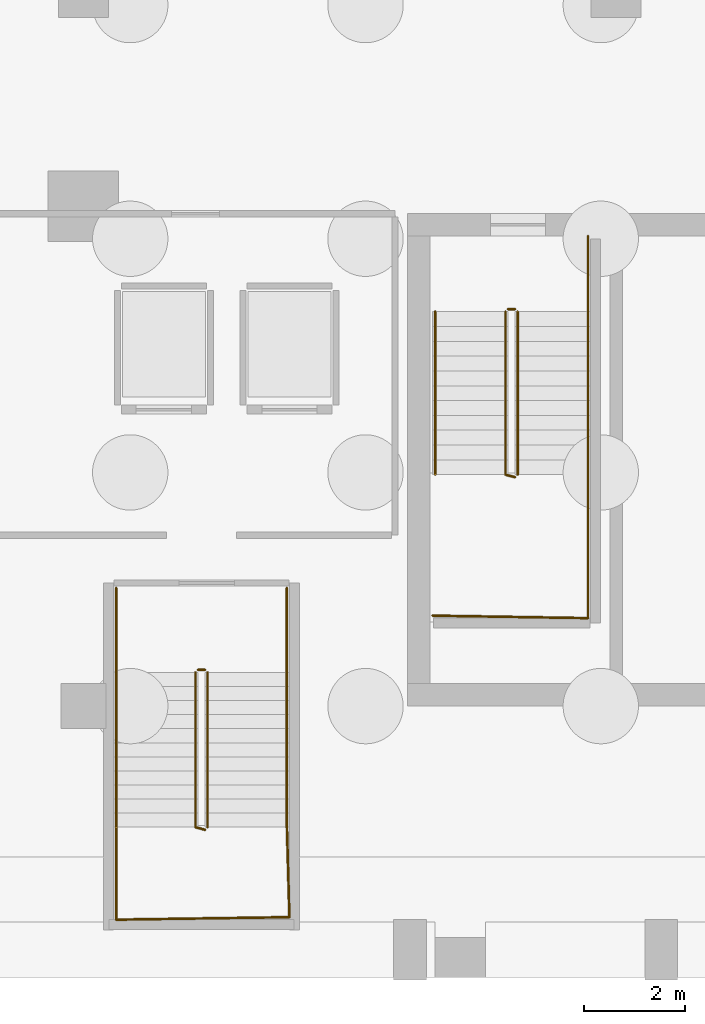
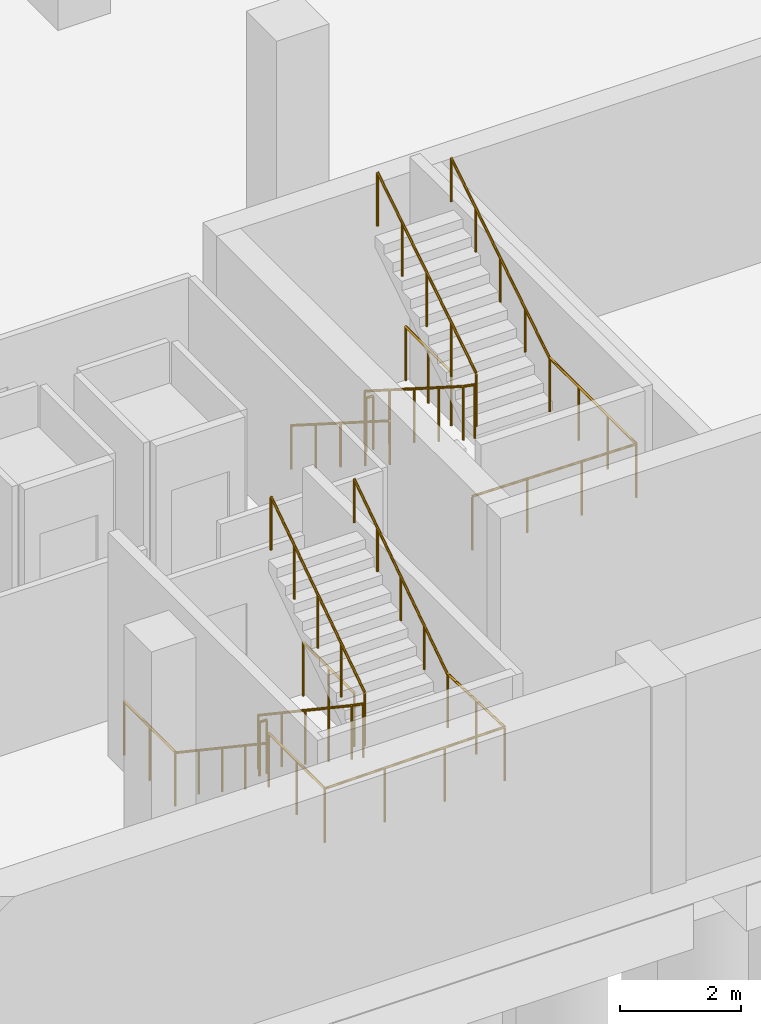
# One storey, part 14 of 18: 15 railings.
"""IFC4 building model written with IfcOpenShell, lengths in metres."""

from ifc_helpers import new_model, si_unit, direction, frame, origin, origin_2d, place, context, subcontext, project, spatial, circle, extrude, material, layer, layer_set, type_object, element, save


model = new_model("IFC4")

# Units and contexts
model_context = context("Model", 3, precision=1e-05, world=origin(), true_north=direction((0.0, 1.0)))
body_context = subcontext(model_context, "Body", "Model", "MODEL_VIEW")
ifc_project = project(units=[si_unit("LENGTHUNIT", "METRE"), si_unit("AREAUNIT", "SQUARE_METRE"), si_unit("VOLUMEUNIT", "CUBIC_METRE"), si_unit("PLANEANGLEUNIT", "RADIAN"), si_unit("MASSUNIT", "GRAM", prefix="KILO")], contexts=[model_context])

# Site, building, storey
site_placement = place(None, origin())
site = spatial("IfcSite", under=ifc_project, at=site_placement, CompositionType="ELEMENT")
building_placement = place(site_placement, origin())
building = spatial("IfcBuilding", under=site, at=building_placement, Name="Ndaravel Arena Tower", CompositionType="ELEMENT")
storey_placement = place(building_placement, frame((0.0, 0.0, -9.0)))
storey = spatial("IfcBuildingStorey", under=building, at=storey_placement, Name="B02", CompositionType="ELEMENT", Elevation=-9.0)

# Railings
ifc_material_1 = material(Name="Steel S355", Category="steel")
ifc_layer_1 = layer(ifc_material_1, 0.06005859375)
ifc_layer_set_1 = layer_set([ifc_layer_1], Name="Steel S355")
railing_type_1 = type_object("IfcRailingType", Name="RAIL-STAIR-GD1100", PredefinedType="GUARDRAIL", material=ifc_layer_set_1)
railing_1_placement = place(storey_placement, frame((28.39990234375, 13.25, 0.1875)))
element("IfcRailing", 1, at=railing_1_placement, inside=storey, type_object=railing_type_1, Name="B02 ST-1 stair guard 1", PredefinedType="GUARDRAIL", context=body_context, shape_type="SweptSolid", body=[
    extrude(circle(Radius=0.02392578125, at=origin_2d()), frame((0.0, 0.0, 1.076171875), z_axis=(0.0, -0.843964631203, 0.536398826693), x_axis=(1.0, 0.0, 0.0)), (0.0, 0.0, 1.0), 3.844970703125),
    extrude(circle(Radius=0.02392578125, at=origin_2d()), frame((0.0, -3.2451171875, 3.138671875), z_axis=(0.967379469692, -0.253331722487, 0.0), x_axis=(0.253331722487, 0.967379469692, 0.0)), (0.0, 0.0, 1.0), 0.196533203125),
    extrude(circle(Radius=0.02099609375, at=origin_2d()), origin(), (0.0, 0.0, 1.0), 1.052001953125),
    extrude(circle(Radius=0.02099609375, at=origin_2d()), frame((0.0, -0.811279296875, 0.515625)), (0.0, 0.0, 1.0), 1.052001953125),
    extrude(circle(Radius=0.02099609375, at=origin_2d()), frame((0.0, -1.62255859375, 1.03125)), (0.0, 0.0, 1.0), 1.052001953125),
    extrude(circle(Radius=0.02099609375, at=origin_2d()), frame((0.0, -2.433837890625, 1.546875)), (0.0, 0.0, 1.0), 1.052001953125),
    extrude(circle(Radius=0.02099609375, at=origin_2d()), frame((0.0, -3.2451171875, 2.0625)), (0.0, 0.0, 1.0), 1.052001953125),
    extrude(circle(Radius=0.02099609375, at=origin_2d()), frame((0.190185546875, -3.294921875, 2.0625)), (0.0, 0.0, 1.0), 1.052001953125),
])
railing_2_placement = place(storey_placement, frame((30.0400390625, 10.0048828125, 2.25)))
element("IfcRailing", 2, at=railing_2_placement, inside=storey, type_object=railing_type_1, Name="B02 ST-1 stair guard 2", PredefinedType="GUARDRAIL", context=body_context, shape_type="SweptSolid", body=[
    extrude(circle(Radius=0.02392578125, at=origin_2d()), frame((0.0, 0.0, 1.076171875), z_axis=(0.0, -1.0, 0.0), x_axis=(1.0, 0.0, 0.0)), (0.0, 0.0, 1.0), 2.85498046875),
    extrude(circle(Radius=0.02392578125, at=origin_2d()), frame((0.0, -2.85498046875, 1.076171875), z_axis=(-0.999868861343, 0.016194447071, 0.0), x_axis=(-0.016194447071, -0.999868861343, 0.0)), (0.0, 0.0, 1.0), 3.090576171875),
    extrude(circle(Radius=0.02099609375, at=origin_2d()), origin(), (0.0, 0.0, 1.0), 1.052001953125),
    extrude(circle(Radius=0.02099609375, at=origin_2d()), frame((0.0, -0.95166015625, 0.0)), (0.0, 0.0, 1.0), 1.052001953125),
    extrude(circle(Radius=0.02099609375, at=origin_2d()), frame((0.0, -1.9033203125, 0.0)), (0.0, 0.0, 1.0), 1.052001953125),
    extrude(circle(Radius=0.02099609375, at=origin_2d()), frame((0.0, -2.85498046875, 0.0)), (0.0, 0.0, 1.0), 1.052001953125),
    extrude(circle(Radius=0.02099609375, at=origin_2d()), frame((-1.030029296875, -2.83837890625, 0.0)), (0.0, 0.0, 1.0), 1.052001953125),
    extrude(circle(Radius=0.02099609375, at=origin_2d()), frame((-2.06005859375, -2.821533203125, 0.0)), (0.0, 0.0, 1.0), 1.052001953125),
    extrude(circle(Radius=0.02099609375, at=origin_2d()), frame((-3.090087890625, -2.804931640625, 0.0)), (0.0, 0.0, 1.0), 1.052001953125),
])
railing_3_placement = place(storey_placement, frame((28.639892578125, 10.0048828125, 2.4375)))
element("IfcRailing", 3, at=railing_3_placement, inside=storey, type_object=railing_type_1, Name="B02 ST-1 stair guard 3", PredefinedType="GUARDRAIL", context=body_context, shape_type="SweptSolid", body=[
    extrude(circle(Radius=0.02392578125, at=origin_2d()), frame((0.0, 0.0, 1.076171875), z_axis=(0.0, 0.843964631203, 0.536398826693), x_axis=(-1.0, 0.0, 0.0)), (0.0, 0.0, 1.0), 3.844970703125),
    extrude(circle(Radius=0.02099609375, at=origin_2d()), origin(), (0.0, 0.0, 1.0), 1.052001953125),
    extrude(circle(Radius=0.02099609375, at=origin_2d()), frame((0.0, 0.811279296875, 0.515625)), (0.0, 0.0, 1.0), 1.052001953125),
    extrude(circle(Radius=0.02099609375, at=origin_2d()), frame((0.0, 1.62255859375, 1.03125)), (0.0, 0.0, 1.0), 1.052001953125),
    extrude(circle(Radius=0.02099609375, at=origin_2d()), frame((0.0, 2.433837890625, 1.546875)), (0.0, 0.0, 1.0), 1.052001953125),
    extrude(circle(Radius=0.02099609375, at=origin_2d()), frame((0.0, 3.2451171875, 2.0625)), (0.0, 0.0, 1.0), 1.052001953125),
])
railing_4_placement = place(storey_placement, frame((28.449951171875, 13.300048828125, 0.0)))
element("IfcRailing", 4, at=railing_4_placement, inside=storey, type_object=railing_type_1, Name="B02 ST-1 stair guard 4", PredefinedType="GUARDRAIL", context=body_context, shape_type="SweptSolid", body=[
    extrude(circle(Radius=0.02392578125, at=origin_2d()), frame((0.0, 0.0, 1.076171875), z_axis=(1.0, 0.0, 0.0), x_axis=(0.0, 1.0, 0.0)), (0.0, 0.0, 1.0), 0.14013671875),
    extrude(circle(Radius=0.02099609375, at=origin_2d()), origin(), (0.0, 0.0, 1.0), 1.052001953125),
    extrude(circle(Radius=0.02099609375, at=origin_2d()), frame((0.14013671875, 0.0, 0.0)), (0.0, 0.0, 1.0), 1.052001953125),
])
railing_5_placement = place(storey_placement, frame((30.0400390625, 14.75, 0.0)))
element("IfcRailing", 5, at=railing_5_placement, inside=storey, type_object=railing_type_1, Name="B02 ST-1 stair guard 5", PredefinedType="GUARDRAIL", context=body_context, shape_type="SweptSolid", body=[
    extrude(circle(Radius=0.02392578125, at=origin_2d()), frame((0.0, 0.0, 1.076171875), z_axis=(0.0, -1.0, 0.0), x_axis=(1.0, 0.0, 0.0)), (0.0, 0.0, 1.0), 1.5),
    extrude(circle(Radius=0.02099609375, at=origin_2d()), origin(), (0.0, 0.0, 1.0), 1.052001953125),
    extrude(circle(Radius=0.02099609375, at=origin_2d()), frame((0.0, -0.75, 0.0)), (0.0, 0.0, 1.0), 1.052001953125),
    extrude(circle(Radius=0.02099609375, at=origin_2d()), frame((0.0, -1.5, 0.0)), (0.0, 0.0, 1.0), 1.052001953125),
])
railing_6_placement = place(storey_placement, frame((22.22998046875, 6.070068359375, 0.1875)))
element("IfcRailing", 6, at=railing_6_placement, inside=storey, type_object=railing_type_1, Name="B02 ST-B1 stair guard 1", PredefinedType="GUARDRAIL", context=body_context, shape_type="SweptSolid", body=[
    extrude(circle(Radius=0.02392578125, at=origin_2d()), frame((0.0, 0.0, 1.076171875), z_axis=(0.0, -0.830913701846, 0.55640131208), x_axis=(1.0, 0.0, 0.0)), (0.0, 0.0, 1.0), 3.706787109375),
    extrude(circle(Radius=0.02392578125, at=origin_2d()), frame((0.0, -3.080078125, 3.138671875), z_axis=(0.966993988697, -0.254799187253, 0.0), x_axis=(0.254799187253, 0.966993988697, 0.0)), (0.0, 0.0, 1.0), 0.196533203125),
    extrude(circle(Radius=0.02099609375, at=origin_2d()), origin(), (0.0, 0.0, 1.0), 1.052001953125),
    extrude(circle(Radius=0.02099609375, at=origin_2d()), frame((0.0, -0.77001953125, 0.515625)), (0.0, 0.0, 1.0), 1.052001953125),
    extrude(circle(Radius=0.02099609375, at=origin_2d()), frame((0.0, -1.5400390625, 1.03125)), (0.0, 0.0, 1.0), 1.052001953125),
    extrude(circle(Radius=0.02099609375, at=origin_2d()), frame((0.0, -2.31005859375, 1.546875)), (0.0, 0.0, 1.0), 1.052001953125),
    extrude(circle(Radius=0.02099609375, at=origin_2d()), frame((0.0, -3.080078125, 2.0625)), (0.0, 0.0, 1.0), 1.052001953125),
    extrude(circle(Radius=0.02099609375, at=origin_2d()), frame((0.18994140625, -3.130126953125, 2.0625)), (0.0, 0.0, 1.0), 1.052001953125),
])
railing_7_placement = place(storey_placement, frame((20.64990234375, 2.989990234375, 2.25)))
element("IfcRailing", 7, at=railing_7_placement, inside=storey, type_object=railing_type_1, Name="B02 ST-B1 stair guard 2", PredefinedType="GUARDRAIL", context=body_context, shape_type="SweptSolid", body=[
    extrude(circle(Radius=0.02392578125, at=origin_2d()), frame((0.0, 0.0, 1.076171875), z_axis=(0.0, -1.0, 0.0), x_axis=(1.0, 0.0, 0.0)), (0.0, 0.0, 1.0), 1.840087890625),
    extrude(circle(Radius=0.02392578125, at=origin_2d()), frame((0.0, -1.840087890625, 1.076171875), z_axis=(0.999894803344, 0.014504559488, 0.0), x_axis=(-0.014504559488, 0.999894803344, 0.0)), (0.0, 0.0, 1.0), 3.450439453125),
    extrude(circle(Radius=0.02392578125, at=origin_2d()), frame((3.4501953125, -1.7900390625, 1.076171875), z_axis=(-0.027948706835, 0.999609358593, 0.0), x_axis=(-0.999609358593, -0.027948706835, 0.0)), (0.0, 0.0, 1.0), 1.790771484375),
    extrude(circle(Radius=0.02099609375, at=origin_2d()), origin(), (0.0, 0.0, 1.0), 1.052001953125),
    extrude(circle(Radius=0.02099609375, at=origin_2d()), frame((0.0, -0.919921875, 0.0)), (0.0, 0.0, 1.0), 1.052001953125),
    extrude(circle(Radius=0.02099609375, at=origin_2d()), frame((0.0, -1.840087890625, 0.0)), (0.0, 0.0, 1.0), 1.052001953125),
    extrude(circle(Radius=0.02099609375, at=origin_2d()), frame((1.150146484375, -1.823486328125, 0.0)), (0.0, 0.0, 1.0), 1.052001953125),
    extrude(circle(Radius=0.02099609375, at=origin_2d()), frame((2.300048828125, -1.806640625, 0.0)), (0.0, 0.0, 1.0), 1.052001953125),
    extrude(circle(Radius=0.02099609375, at=origin_2d()), frame((3.4501953125, -1.7900390625, 0.0)), (0.0, 0.0, 1.0), 1.052001953125),
    extrude(circle(Radius=0.02099609375, at=origin_2d()), frame((3.42529296875, -0.89501953125, 0.0)), (0.0, 0.0, 1.0), 1.052001953125),
    extrude(circle(Radius=0.02099609375, at=origin_2d()), frame((3.400146484375, 0.0, 0.0)), (0.0, 0.0, 1.0), 1.052001953125),
])
railing_8_placement = place(storey_placement, frame((22.469970703125, 2.989990234375, 2.4375)))
element("IfcRailing", 8, at=railing_8_placement, inside=storey, type_object=railing_type_1, Name="B02 ST-B1 stair guard 3", PredefinedType="GUARDRAIL", context=body_context, shape_type="SweptSolid", body=[
    extrude(circle(Radius=0.02392578125, at=origin_2d()), frame((0.0, 0.0, 1.076171875), z_axis=(0.0, 0.830913701846, 0.55640131208), x_axis=(-1.0, 0.0, 0.0)), (0.0, 0.0, 1.0), 3.706787109375),
    extrude(circle(Radius=0.02099609375, at=origin_2d()), origin(), (0.0, 0.0, 1.0), 1.052001953125),
    extrude(circle(Radius=0.02099609375, at=origin_2d()), frame((0.0, 0.77001953125, 0.515625)), (0.0, 0.0, 1.0), 1.052001953125),
    extrude(circle(Radius=0.02099609375, at=origin_2d()), frame((0.0, 1.5400390625, 1.03125)), (0.0, 0.0, 1.0), 1.052001953125),
    extrude(circle(Radius=0.02099609375, at=origin_2d()), frame((0.0, 2.31005859375, 1.546875)), (0.0, 0.0, 1.0), 1.052001953125),
    extrude(circle(Radius=0.02099609375, at=origin_2d()), frame((0.0, 3.080078125, 2.0625)), (0.0, 0.0, 1.0), 1.052001953125),
])
railing_9_placement = place(storey_placement, frame((22.280029296875, 6.1201171875, 0.0)))
element("IfcRailing", 9, at=railing_9_placement, inside=storey, type_object=railing_type_1, Name="B02 ST-B1 stair guard 4", PredefinedType="GUARDRAIL", context=body_context, shape_type="SweptSolid", body=[
    extrude(circle(Radius=0.02392578125, at=origin_2d()), frame((0.0, 0.0, 1.076171875), z_axis=(1.0, 0.0, 0.0), x_axis=(0.0, 1.0, 0.0)), (0.0, 0.0, 1.0), 0.139892578125),
    extrude(circle(Radius=0.02099609375, at=origin_2d()), origin(), (0.0, 0.0, 1.0), 1.052001953125),
    extrude(circle(Radius=0.02099609375, at=origin_2d()), frame((0.139892578125, 0.0, 0.0)), (0.0, 0.0, 1.0), 1.052001953125),
])
for number, where, name in (
    (10, (20.64990234375, 7.75, 0.0), "B02 ST-B1 stair guard 5"),
    (11, (24.050048828125, 7.75, 0.0), "B02 ST-B1 stair guard 6"),
):
    element("IfcRailing", number, at=place(storey_placement, frame(where)), inside=storey, type_object=railing_type_1, Name=name, PredefinedType="GUARDRAIL", context=body_context, shape_type="SweptSolid", body=[
        extrude(circle(Radius=0.02392578125, at=origin_2d()), frame((0.0, 0.0, 1.076171875), z_axis=(0.0, -1.0, 0.0), x_axis=(1.0, 0.0, 0.0)), (0.0, 0.0, 1.0), 1.679931640625),
        extrude(circle(Radius=0.02099609375, at=origin_2d()), origin(), (0.0, 0.0, 1.0), 1.052001953125),
        extrude(circle(Radius=0.02099609375, at=origin_2d()), frame((0.0, -0.83984375, 0.0)), (0.0, 0.0, 1.0), 1.052001953125),
        extrude(circle(Radius=0.02099609375, at=origin_2d()), frame((0.0, -1.679931640625, 0.0)), (0.0, 0.0, 1.0), 1.052001953125),
    ])
ifc_material_2 = material(Name="Steel S355", Category="steel")
ifc_layer_2 = layer(ifc_material_2, 0.050048828125)
ifc_layer_set_2 = layer_set([ifc_layer_2], Name="Steel S355")
railing_type_2 = type_object("IfcRailingType", Name="RAIL-STAIR-HR920", PredefinedType="HANDRAIL", material=ifc_layer_set_2)
railing_10_placement = place(storey_placement, frame((27.0, 13.25, 0.1875)))
element("IfcRailing", 12, at=railing_10_placement, inside=storey, type_object=railing_type_2, Name="B02 ST-1 stair handrail 1", PredefinedType="HANDRAIL", context=body_context, shape_type="SweptSolid", body=[
    extrude(circle(Radius=0.02392578125, at=origin_2d()), frame((0.0, 0.0, 0.8759765625), z_axis=(0.0, -0.843964631203, 0.536398826693), x_axis=(1.0, 0.0, 0.0)), (0.0, 0.0, 1.0), 3.844970703125),
    extrude(circle(Radius=0.02099609375, at=origin_2d()), origin(), (0.0, 0.0, 1.0), 0.851806640625),
    extrude(circle(Radius=0.02099609375, at=origin_2d()), frame((0.0, -0.811279296875, 0.515625)), (0.0, 0.0, 1.0), 0.851806640625),
    extrude(circle(Radius=0.02099609375, at=origin_2d()), frame((0.0, -1.62255859375, 1.03125)), (0.0, 0.0, 1.0), 0.851806640625),
    extrude(circle(Radius=0.02099609375, at=origin_2d()), frame((0.0, -2.433837890625, 1.546875)), (0.0, 0.0, 1.0), 0.851806640625),
    extrude(circle(Radius=0.02099609375, at=origin_2d()), frame((0.0, -3.2451171875, 2.0625)), (0.0, 0.0, 1.0), 0.851806640625),
])
railing_11_placement = place(storey_placement, frame((30.0400390625, 10.0048828125, 2.4375)))
element("IfcRailing", 13, at=railing_11_placement, inside=storey, type_object=railing_type_2, Name="B02 ST-1 stair handrail 2", PredefinedType="HANDRAIL", context=body_context, shape_type="SweptSolid", body=[
    extrude(circle(Radius=0.02392578125, at=origin_2d()), frame((0.0, 0.0, 0.8759765625), z_axis=(0.0, 0.843964631203, 0.536398826693), x_axis=(-1.0, 0.0, 0.0)), (0.0, 0.0, 1.0), 3.844970703125),
    extrude(circle(Radius=0.02099609375, at=origin_2d()), origin(), (0.0, 0.0, 1.0), 0.851806640625),
    extrude(circle(Radius=0.02099609375, at=origin_2d()), frame((0.0, 0.811279296875, 0.515625)), (0.0, 0.0, 1.0), 0.851806640625),
    extrude(circle(Radius=0.02099609375, at=origin_2d()), frame((0.0, 1.62255859375, 1.03125)), (0.0, 0.0, 1.0), 0.851806640625),
    extrude(circle(Radius=0.02099609375, at=origin_2d()), frame((0.0, 2.433837890625, 1.546875)), (0.0, 0.0, 1.0), 0.851806640625),
    extrude(circle(Radius=0.02099609375, at=origin_2d()), frame((0.0, 3.2451171875, 2.0625)), (0.0, 0.0, 1.0), 0.851806640625),
])
railing_12_placement = place(storey_placement, frame((20.64990234375, 6.070068359375, 0.1875)))
element("IfcRailing", 14, at=railing_12_placement, inside=storey, type_object=railing_type_2, Name="B02 ST-B1 stair handrail 1", PredefinedType="HANDRAIL", context=body_context, shape_type="SweptSolid", body=[
    extrude(circle(Radius=0.02392578125, at=origin_2d()), frame((0.0, 0.0, 0.8759765625), z_axis=(0.0, -0.830913701846, 0.55640131208), x_axis=(1.0, 0.0, 0.0)), (0.0, 0.0, 1.0), 3.706787109375),
    extrude(circle(Radius=0.02099609375, at=origin_2d()), origin(), (0.0, 0.0, 1.0), 0.851806640625),
    extrude(circle(Radius=0.02099609375, at=origin_2d()), frame((0.0, -0.77001953125, 0.515625)), (0.0, 0.0, 1.0), 0.851806640625),
    extrude(circle(Radius=0.02099609375, at=origin_2d()), frame((0.0, -1.5400390625, 1.03125)), (0.0, 0.0, 1.0), 0.851806640625),
    extrude(circle(Radius=0.02099609375, at=origin_2d()), frame((0.0, -2.31005859375, 1.546875)), (0.0, 0.0, 1.0), 0.851806640625),
    extrude(circle(Radius=0.02099609375, at=origin_2d()), frame((0.0, -3.080078125, 2.0625)), (0.0, 0.0, 1.0), 0.851806640625),
])
railing_13_placement = place(storey_placement, frame((24.050048828125, 2.989990234375, 2.4375)))
element("IfcRailing", 15, at=railing_13_placement, inside=storey, type_object=railing_type_2, Name="B02 ST-B1 stair handrail 2", PredefinedType="HANDRAIL", context=body_context, shape_type="SweptSolid", body=[
    extrude(circle(Radius=0.02392578125, at=origin_2d()), frame((0.0, 0.0, 0.8759765625), z_axis=(0.0, 0.830913701846, 0.55640131208), x_axis=(-1.0, 0.0, 0.0)), (0.0, 0.0, 1.0), 3.706787109375),
    extrude(circle(Radius=0.02099609375, at=origin_2d()), origin(), (0.0, 0.0, 1.0), 0.851806640625),
    extrude(circle(Radius=0.02099609375, at=origin_2d()), frame((0.0, 0.77001953125, 0.515625)), (0.0, 0.0, 1.0), 0.851806640625),
    extrude(circle(Radius=0.02099609375, at=origin_2d()), frame((0.0, 1.5400390625, 1.03125)), (0.0, 0.0, 1.0), 0.851806640625),
    extrude(circle(Radius=0.02099609375, at=origin_2d()), frame((0.0, 2.31005859375, 1.546875)), (0.0, 0.0, 1.0), 0.851806640625),
    extrude(circle(Radius=0.02099609375, at=origin_2d()), frame((0.0, 3.080078125, 2.0625)), (0.0, 0.0, 1.0), 0.851806640625),
])

save(model, "model.ifc")
